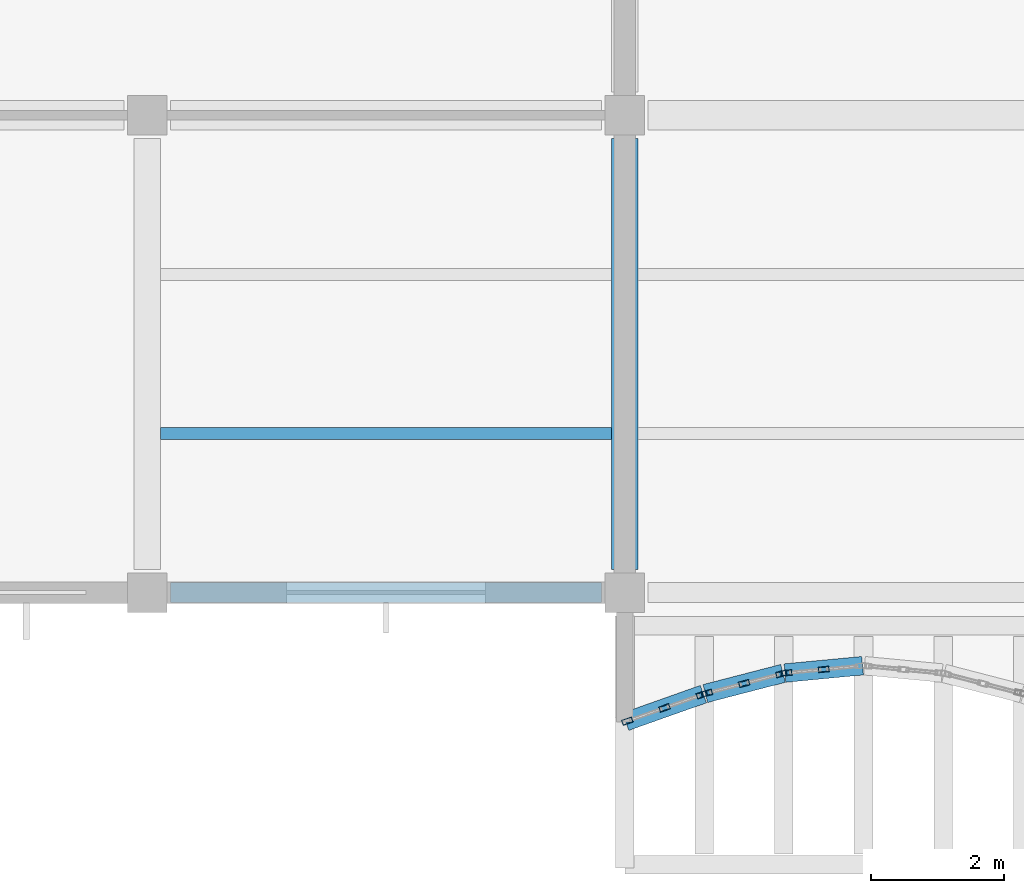
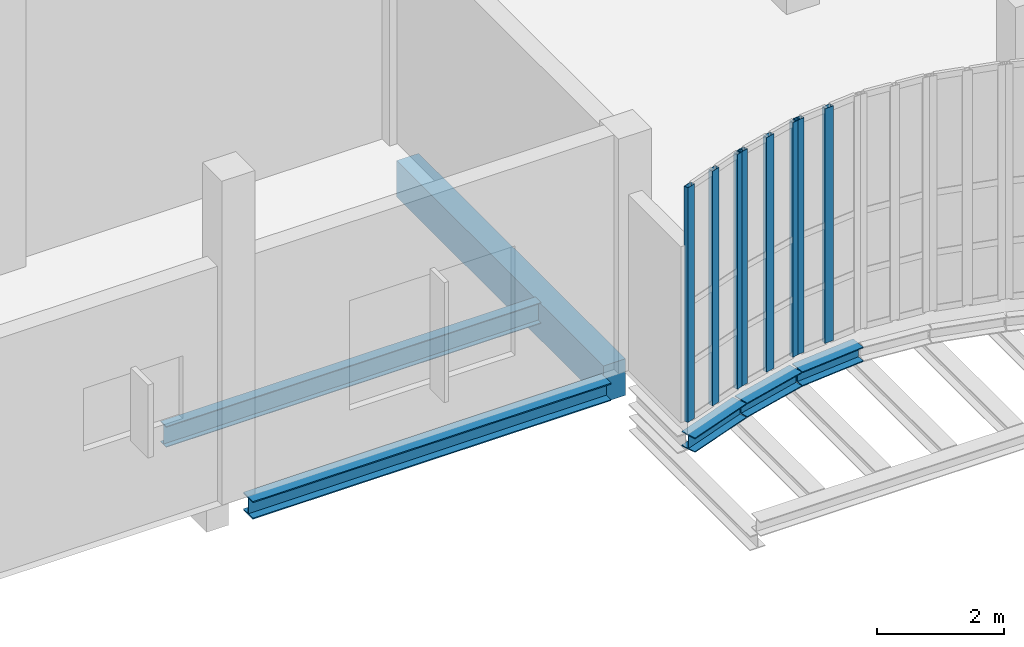
# One storey, part 7 of 105: 8 members, 6 beams, 3 elements without a shape of their own.
"""IFC4 building model written with IfcOpenShell, lengths in metres."""

from ifc_helpers import new_model, si_unit, direction, frame, origin, origin_2d, place, context, subcontext, project, spatial, rectangle, hollow_rectangle, i_section, extrude, material, layer, layer_set, material_profile, profile_set, type_object, element, aggregate, save


model = new_model("IFC4")

# Units and contexts
model_context = context("Model", 3, precision=1e-05, world=origin(), true_north=direction((0.0, 1.0)))
body_context = subcontext(model_context, "Body", "Model", "MODEL_VIEW")
ifc_project = project(units=[si_unit("LENGTHUNIT", "METRE"), si_unit("AREAUNIT", "SQUARE_METRE"), si_unit("VOLUMEUNIT", "CUBIC_METRE"), si_unit("PLANEANGLEUNIT", "RADIAN"), si_unit("MASSUNIT", "GRAM", prefix="KILO"), si_unit("THERMODYNAMICTEMPERATUREUNIT", "KELVIN"), si_unit("POWERUNIT", "WATT")], contexts=[model_context])

# Site, building, storey
site_placement = place(None, origin())
site = spatial("IfcSite", under=ifc_project, at=site_placement, CompositionType="ELEMENT")
building_placement = place(site_placement, origin())
building = spatial("IfcBuilding", under=site, at=building_placement, Name="Kaldorven Railside Theatre", CompositionType="ELEMENT")
storey_placement = place(building_placement, frame((0.0, 0.0, 9.89990234375)))
storey = spatial("IfcBuildingStorey", under=building, at=storey_placement, Name="L02", CompositionType="ELEMENT", Elevation=9.89990234375)

# Beams
ifc_material_1 = material(Name="Steel S355", Category="steel")
ifc_material_profile_1 = material_profile(ifc_material_1, i_section(OverallWidth=0.280029296875, OverallDepth=0.280029296875, WebThickness=0.010498046875, FlangeThickness=0.01806640625, at=origin_2d()), Name="HEB 280")
ifc_profile_set_1 = profile_set([ifc_material_profile_1], Name="Steel S355")
beam_type_1 = type_object("IfcBeamType", Name="BM-HEB280", PredefinedType="SPANDREL", material=ifc_profile_set_1)
beam_1_placement = place(storey_placement, frame((36.814208984375, 17.2548828125, -0.419921875), z_axis=(0.942605331688, 0.333908952671, 0.0), x_axis=(-0.333908952671, 0.942605331688, 0.0)))
element("IfcBeam", 1, at=beam_1_placement, inside=storey, type_object=beam_type_1, Name="L02 Sinusoidal Flute Edge Spandrel FSB-073", PredefinedType="SPANDREL", context=body_context, shape_type="SweptSolid", body=[
    extrude(i_section(OverallWidth=0.280029296875, OverallDepth=0.280029296875, WebThickness=0.010498046875, FlangeThickness=0.01806640625, at=origin_2d()), origin(), (0.0, 0.0, 1.0), 1.242919921875),
])
beam_2_placement = place(storey_placement, frame((38.014404296875, 17.6787109375, -0.419921875), z_axis=(0.967980555895, 0.25102518481, 0.0), x_axis=(-0.25102518481, 0.967980555895, 0.0)))
element("IfcBeam", 2, at=beam_2_placement, inside=storey, type_object=beam_type_1, Name="L02 Sinusoidal Flute Edge Spandrel FSB-074", PredefinedType="SPANDREL", context=body_context, shape_type="SweptSolid", body=[
    extrude(i_section(OverallWidth=0.280029296875, OverallDepth=0.280029296875, WebThickness=0.010498046875, FlangeThickness=0.01806640625, at=origin_2d()), origin(), (0.0, 0.0, 1.0), 1.2099609375),
])
beam_3_placement = place(storey_placement, frame((39.21484375, 17.987548828125, -0.419921875), z_axis=(0.99552436473, 0.094505233873, 0.0), x_axis=(-0.094505233873, 0.99552436473, 0.0)))
element("IfcBeam", 3, at=beam_3_placement, inside=storey, type_object=beam_type_1, Name="L02 Sinusoidal Flute Edge Spandrel FSB-075", PredefinedType="SPANDREL", context=body_context, shape_type="SweptSolid", body=[
    extrude(i_section(OverallWidth=0.280029296875, OverallDepth=0.280029296875, WebThickness=0.010498046875, FlangeThickness=0.01806640625, at=origin_2d()), origin(), (0.0, 0.0, 1.0), 1.175537109375),
])
ifc_material_profile_2 = material_profile(ifc_material_1, i_section(OverallWidth=0.300048828125, OverallDepth=0.340087890625, WebThickness=0.011962890625, FlangeThickness=0.021484375, at=origin_2d()), Name="HEB 340")
ifc_profile_set_2 = profile_set([ifc_material_profile_2], Name="Steel S355")
beam_type_2 = type_object("IfcBeamType", Name="BM-HEB340", PredefinedType="SPANDREL", material=ifc_profile_set_2)
beam_4_placement = place(storey_placement, frame((29.949951171875, 19.199951171875, -0.419921875), z_axis=(1.0, 0.0, 0.0), x_axis=(0.0, 1.0, 0.0)))
element("IfcBeam", 4, at=beam_4_placement, inside=storey, type_object=beam_type_2, Name="L02 Girder BGX-L02-029-019", PredefinedType="SPANDREL", context=body_context, shape_type="SweptSolid", body=[
    extrude(i_section(OverallWidth=0.300048828125, OverallDepth=0.340087890625, WebThickness=0.011962890625, FlangeThickness=0.021484375, at=origin_2d()), origin(), (0.0, 0.0, 1.0), 6.5),
])
ifc_material_profile_3 = material_profile(ifc_material_1, i_section(OverallWidth=0.179931640625, OverallDepth=0.39990234375, WebThickness=0.008544921875, FlangeThickness=0.013427734375, at=origin_2d()), Name="IPE 400")
ifc_profile_set_3 = profile_set([ifc_material_profile_3], Name="Steel S355")
beam_type_3 = type_object("IfcBeamType", Name="BM-IPE400", PredefinedType="JOIST", material=ifc_profile_set_3)
beam_5_placement = place(storey_placement, frame((29.800048828125, 21.60009765625, -0.449951171875), z_axis=(1.0, 0.0, 0.0), x_axis=(0.0, 1.0, 0.0)))
element("IfcBeam", 5, at=beam_5_placement, inside=storey, type_object=beam_type_3, Name="L02 Secondary Floor Joist JG-L02-029-0216", PredefinedType="JOIST", context=body_context, shape_type="SweptSolid", body=[
    extrude(i_section(OverallWidth=0.179931640625, OverallDepth=0.39990234375, WebThickness=0.008544921875, FlangeThickness=0.013427734375, at=origin_2d()), origin(), (0.0, 0.0, 1.0), 6.800048828125),
])
ifc_material_2 = material(Name="Concrete C40/50", Category="concrete")
ifc_material_profile_4 = material_profile(ifc_material_2, rectangle(XDim=0.39990234375, YDim=0.699951171875, at=origin_2d()), Name="RC 400x700")
ifc_profile_set_4 = profile_set([ifc_material_profile_4], Name="Concrete C40/50")
beam_type_4 = type_object("IfcBeamType", Name="BM-RC400x700", PredefinedType="BEAM", material=ifc_profile_set_4)
beam_6_placement = place(storey_placement, frame((36.800048828125, 19.550048828125, -0.6298828125), z_axis=(0.0, 1.0, 0.0), x_axis=(-1.0, 0.0, 0.0)))
element("IfcBeam", 6, at=beam_6_placement, inside=storey, type_object=beam_type_4, Name="L02 Girder BGY-L02-036-019-72", PredefinedType="BEAM", context=body_context, shape_type="SweptSolid", body=[
    extrude(rectangle(XDim=0.39990234375, YDim=0.699951171875, at=origin_2d()), origin(), (0.0, 0.0, 1.0), 6.5),
])

# Curtain wall, members
ifc_material_3 = material(Name="Low-E laminated solar-control glass", Category="glass")
ifc_layer_1 = layer(ifc_material_3, 0.159912109375, Name="Low-E laminated solar-control glass")
ifc_layer_set_1 = layer_set([ifc_layer_1], Name="Low-E laminated solar-control glass")
curtain_wall_type_1 = type_object("IfcCurtainWallType", Name="CWT-01", PredefinedType="USERDEFINED", material=ifc_layer_set_1)
curtain_wall_1_placement = place(storey_placement, origin())
curtain_wall_1 = element("IfcCurtainWall", 7, at=curtain_wall_1_placement, inside=storey, type_object=curtain_wall_type_1, Name="Sinusoidal Fluted Curtain Wall CW-L02-S01", ObjectType="FLUTED GLAZING", PredefinedType="USERDEFINED")
ifc_material_4 = material(Name="Anodised bronze aluminium", Category="aluminium")
ifc_material_profile_5 = material_profile(ifc_material_4, hollow_rectangle(XDim=0.080078125, YDim=0.159912109375, WallThickness=0.00634765625, at=origin_2d()), Name="RHS 160x80x6.3")
ifc_profile_set_5 = profile_set([ifc_material_profile_5], Name="Anodised bronze aluminium")
member_type = type_object("IfcMemberType", Name="CWM-160", PredefinedType="MULLION", material=ifc_profile_set_5)
member_1_placement = place(storey_placement, frame((36.837646484375, 17.263427734375, 0.0), z_axis=(0.0, 0.0, 1.0), x_axis=(-0.33384714225, 0.942627225159, 0.0)))
member_1 = element("IfcMember", 8, at=member_1_placement, type_object=member_type, Name="CW-L02-S01 mullion 1", PredefinedType="MULLION", context=body_context, shape_type="SweptSolid", body=[
    extrude(hollow_rectangle(XDim=0.080078125, YDim=0.159912109375, WallThickness=0.00634765625, at=origin_2d()), origin(), (0.0, 0.0, 1.0), 4.5),
])
member_2_placement = place(storey_placement, frame((37.39990234375, 17.46240234375, 0.0), z_axis=(0.0, 0.0, 1.0), x_axis=(-0.33384714225, 0.942627225159, 0.0)))
member_2 = element("IfcMember", 9, at=member_2_placement, type_object=member_type, Name="CW-L02-S01 mullion 2", PredefinedType="MULLION", context=body_context, shape_type="SweptSolid", body=[
    extrude(hollow_rectangle(XDim=0.080078125, YDim=0.159912109375, WallThickness=0.00634765625, at=origin_2d()), origin(), (0.0, 0.0, 1.0), 4.5),
])
member_3_placement = place(storey_placement, frame((37.96240234375, 17.66162109375, 0.0), z_axis=(0.0, 0.0, 1.0), x_axis=(-0.33384714225, 0.942627225159, 0.0)))
member_3 = element("IfcMember", 10, at=member_3_placement, type_object=member_type, Name="CW-L02-S01 mullion 3", PredefinedType="MULLION", context=body_context, shape_type="SweptSolid", body=[
    extrude(hollow_rectangle(XDim=0.080078125, YDim=0.159912109375, WallThickness=0.00634765625, at=origin_2d()), origin(), (0.0, 0.0, 1.0), 4.5),
])
aggregate(curtain_wall_1, [member_1, member_2, member_3])

ifc_layer_2 = layer(ifc_material_3, 0.159912109375, Name="Low-E laminated solar-control glass")
ifc_layer_set_2 = layer_set([ifc_layer_2], Name="Low-E laminated solar-control glass")
curtain_wall_type_2 = type_object("IfcCurtainWallType", Name="CWT-02", PredefinedType="USERDEFINED", material=ifc_layer_set_2)
curtain_wall_2_placement = place(storey_placement, origin())
curtain_wall_2 = element("IfcCurtainWall", 11, at=curtain_wall_2_placement, inside=storey, type_object=curtain_wall_type_2, Name="Sinusoidal Fluted Curtain Wall CW-L02-S02", ObjectType="FLUTED GLAZING", PredefinedType="USERDEFINED")
member_4_placement = place(storey_placement, frame((38.038818359375, 17.68505859375, 0.0), z_axis=(0.0, 0.0, 1.0), x_axis=(-0.250953760326, 0.967999075505, 0.0)))
member_4 = element("IfcMember", 12, at=member_4_placement, type_object=member_type, Name="CW-L02-S02 mullion 1", PredefinedType="MULLION", context=body_context, shape_type="SweptSolid", body=[
    extrude(hollow_rectangle(XDim=0.080078125, YDim=0.159912109375, WallThickness=0.00634765625, at=origin_2d()), origin(), (0.0, 0.0, 1.0), 4.5),
])
member_5_placement = place(storey_placement, frame((38.60009765625, 17.83056640625, 0.0), z_axis=(0.0, 0.0, 1.0), x_axis=(-0.250953760326, 0.967999075505, 0.0)))
member_5 = element("IfcMember", 13, at=member_5_placement, type_object=member_type, Name="CW-L02-S02 mullion 2", PredefinedType="MULLION", context=body_context, shape_type="SweptSolid", body=[
    extrude(hollow_rectangle(XDim=0.080078125, YDim=0.159912109375, WallThickness=0.00634765625, at=origin_2d()), origin(), (0.0, 0.0, 1.0), 4.5),
])
member_6_placement = place(storey_placement, frame((39.161376953125, 17.97607421875, 0.0), z_axis=(0.0, 0.0, 1.0), x_axis=(-0.250953760326, 0.967999075505, 0.0)))
member_6 = element("IfcMember", 14, at=member_6_placement, type_object=member_type, Name="CW-L02-S02 mullion 3", PredefinedType="MULLION", context=body_context, shape_type="SweptSolid", body=[
    extrude(hollow_rectangle(XDim=0.080078125, YDim=0.159912109375, WallThickness=0.00634765625, at=origin_2d()), origin(), (0.0, 0.0, 1.0), 4.5),
])
aggregate(curtain_wall_2, [member_4, member_5, member_6])

ifc_layer_3 = layer(ifc_material_3, 0.159912109375, Name="Low-E laminated solar-control glass")
ifc_layer_set_3 = layer_set([ifc_layer_3], Name="Low-E laminated solar-control glass")
curtain_wall_type_3 = type_object("IfcCurtainWallType", Name="CWT-03", PredefinedType="USERDEFINED", material=ifc_layer_set_3)
curtain_wall_3_placement = place(storey_placement, origin())
curtain_wall_3 = element("IfcCurtainWall", 15, at=curtain_wall_3_placement, inside=storey, type_object=curtain_wall_type_3, Name="Sinusoidal Fluted Curtain Wall CW-L02-S03", ObjectType="FLUTED GLAZING", PredefinedType="USERDEFINED")
member_7_placement = place(storey_placement, frame((39.23974609375, 17.989990234375, 0.0), z_axis=(0.0, 0.0, 1.0), x_axis=(-0.094491973758, 0.995525623425, 0.0)))
member_7 = element("IfcMember", 16, at=member_7_placement, type_object=member_type, Name="CW-L02-S03 mullion 1", PredefinedType="MULLION", context=body_context, shape_type="SweptSolid", body=[
    extrude(hollow_rectangle(XDim=0.080078125, YDim=0.159912109375, WallThickness=0.00634765625, at=origin_2d()), origin(), (0.0, 0.0, 1.0), 4.5),
])
member_8_placement = place(storey_placement, frame((39.800048828125, 18.04296875, 0.0), z_axis=(0.0, 0.0, 1.0), x_axis=(-0.094491973758, 0.995525623425, 0.0)))
member_8 = element("IfcMember", 17, at=member_8_placement, type_object=member_type, Name="CW-L02-S03 mullion 2", PredefinedType="MULLION", context=body_context, shape_type="SweptSolid", body=[
    extrude(hollow_rectangle(XDim=0.080078125, YDim=0.159912109375, WallThickness=0.00634765625, at=origin_2d()), origin(), (0.0, 0.0, 1.0), 4.5),
])
aggregate(curtain_wall_3, [member_7, member_8])

save(model, "model.ifc")
